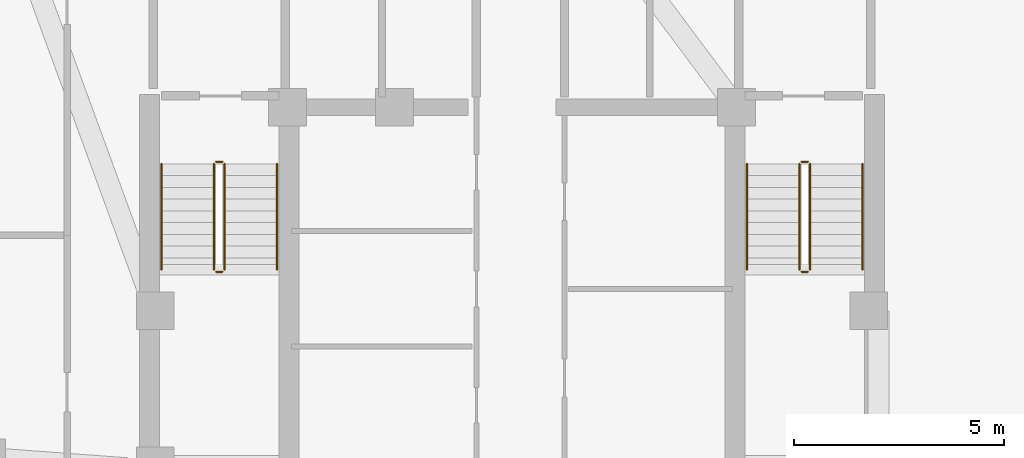
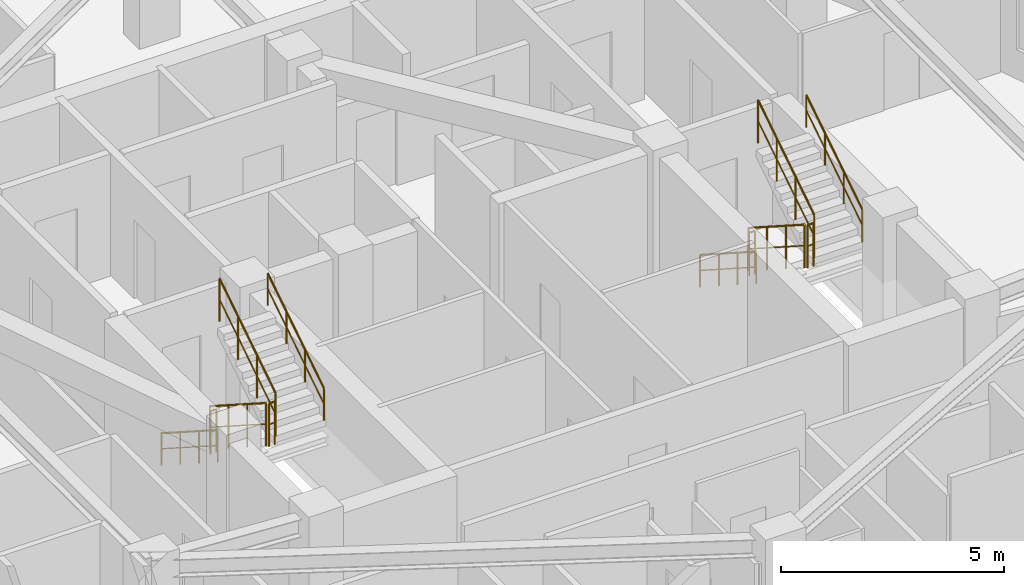
# One storey, part 9 of 9: 12 railings.
"""IFC4 building model written with IfcOpenShell, lengths in metres."""

from ifc_helpers import new_model, si_unit, direction, frame, origin, origin_2d, place, context, subcontext, project, spatial, circle, extrude, material, type_object, element, save


model = new_model("IFC4")

# Units and contexts
model_context = context("Model", 3, precision=1e-05, world=origin(), true_north=direction((0.0, 1.0)))
body_context = subcontext(model_context, "Body", "Model", "MODEL_VIEW")
ifc_project = project(units=[si_unit("LENGTHUNIT", "METRE"), si_unit("AREAUNIT", "SQUARE_METRE"), si_unit("VOLUMEUNIT", "CUBIC_METRE"), si_unit("PLANEANGLEUNIT", "RADIAN"), si_unit("MASSUNIT", "GRAM", prefix="KILO")], contexts=[model_context])

# Site, building, storey
site_placement = place(None, origin())
site = spatial("IfcSite", under=ifc_project, at=site_placement, CompositionType="ELEMENT")
building_placement = place(site_placement, origin())
building = spatial("IfcBuilding", under=site, at=building_placement, Name="Miruveldt Soraemaru", CompositionType="ELEMENT")
storey_placement = place(building_placement, frame((0.0, 0.0, 194.39990234375)))
storey = spatial("IfcBuildingStorey", under=building, at=storey_placement, Name="L53", CompositionType="ELEMENT", Elevation=194.39990234375)

# Railings
ifc_material = material(Name="Steel S355 (355 MPa)", Category="steel")
railing_type_1 = type_object("IfcRailingType", Name="RAIL-HR-900", PredefinedType="HANDRAIL", material=ifc_material)
railing_1_placement = place(storey_placement, frame((35.64990234375, 42.699951171875, 0.18017578125)))
element("IfcRailing", 1, at=railing_1_placement, inside=storey, type_object=railing_type_1, Name="L53 ST-1 stair handrail 1", PredefinedType="HANDRAIL", context=body_context, shape_type="SweptSolid", body=[
    extrude(circle(Radius=0.02392578125, at=origin_2d()), frame((0.0, 0.0, 0.8759765625), z_axis=(0.0, -0.841199657755, 0.540724639528), x_axis=(1.0, 0.0, 0.0)), (0.0, 0.0, 1.0), 2.995849609375),
    extrude(circle(Radius=0.01611328125, at=origin_2d()), frame((0.0, 0.0, 0.449951171875), z_axis=(0.0, -0.841199657755, 0.540724639528), x_axis=(1.0, 0.0, 0.0)), (0.0, 0.0, 1.0), 2.995849609375),
    extrude(circle(Radius=0.02099609375, at=origin_2d()), origin(), (0.0, 0.0, 1.0), 0.851806640625),
    extrude(circle(Radius=0.02099609375, at=origin_2d()), frame((0.0, -0.840087890625, 0.5400390625)), (0.0, 0.0, 1.0), 0.851806640625),
    extrude(circle(Radius=0.02099609375, at=origin_2d()), frame((0.0, -1.679931640625, 1.079833984375)), (0.0, 0.0, 1.0), 0.851806640625),
    extrude(circle(Radius=0.02099609375, at=origin_2d()), frame((0.0, -2.52001953125, 1.619873046875)), (0.0, 0.0, 1.0), 0.851806640625),
])
railing_2_placement = place(storey_placement, frame((38.39990234375, 40.179931640625, 1.97998046875)))
element("IfcRailing", 2, at=railing_2_placement, inside=storey, type_object=railing_type_1, Name="L53 ST-1 stair handrail 2", PredefinedType="HANDRAIL", context=body_context, shape_type="SweptSolid", body=[
    extrude(circle(Radius=0.02392578125, at=origin_2d()), frame((0.0, 0.0, 0.8759765625), z_axis=(0.0, 0.841162588446, 0.540782303519), x_axis=(-1.0, 0.0, 0.0)), (0.0, 0.0, 1.0), 2.995849609375),
    extrude(circle(Radius=0.01611328125, at=origin_2d()), frame((0.0, 0.0, 0.449951171875), z_axis=(0.0, 0.841162588446, 0.540782303519), x_axis=(-1.0, 0.0, 0.0)), (0.0, 0.0, 1.0), 2.995849609375),
    extrude(circle(Radius=0.02099609375, at=origin_2d()), origin(), (0.0, 0.0, 1.0), 0.851806640625),
    extrude(circle(Radius=0.02099609375, at=origin_2d()), frame((0.0, 0.840087890625, 0.5400390625)), (0.0, 0.0, 1.0), 0.851806640625),
    extrude(circle(Radius=0.02099609375, at=origin_2d()), frame((0.0, 1.679931640625, 1.080078125)), (0.0, 0.0, 1.0), 0.851806640625),
    extrude(circle(Radius=0.02099609375, at=origin_2d()), frame((0.0, 2.52001953125, 1.6201171875)), (0.0, 0.0, 1.0), 0.851806640625),
])
railing_3_placement = place(storey_placement, frame((49.60009765625, 42.699951171875, 0.18017578125)))
element("IfcRailing", 3, at=railing_3_placement, inside=storey, type_object=railing_type_1, Name="L53 ST-2 stair handrail 1", PredefinedType="HANDRAIL", context=body_context, shape_type="SweptSolid", body=[
    extrude(circle(Radius=0.02392578125, at=origin_2d()), frame((0.0, 0.0, 0.8759765625), z_axis=(0.0, -0.841199657755, 0.540724639528), x_axis=(1.0, 0.0, 0.0)), (0.0, 0.0, 1.0), 2.995849609375),
    extrude(circle(Radius=0.01611328125, at=origin_2d()), frame((0.0, 0.0, 0.449951171875), z_axis=(0.0, -0.841199657755, 0.540724639528), x_axis=(1.0, 0.0, 0.0)), (0.0, 0.0, 1.0), 2.995849609375),
    extrude(circle(Radius=0.02099609375, at=origin_2d()), origin(), (0.0, 0.0, 1.0), 0.851806640625),
    extrude(circle(Radius=0.02099609375, at=origin_2d()), frame((0.0, -0.840087890625, 0.5400390625)), (0.0, 0.0, 1.0), 0.851806640625),
    extrude(circle(Radius=0.02099609375, at=origin_2d()), frame((0.0, -1.679931640625, 1.079833984375)), (0.0, 0.0, 1.0), 0.851806640625),
    extrude(circle(Radius=0.02099609375, at=origin_2d()), frame((0.0, -2.52001953125, 1.619873046875)), (0.0, 0.0, 1.0), 0.851806640625),
])
railing_4_placement = place(storey_placement, frame((52.35009765625, 40.179931640625, 1.97998046875)))
element("IfcRailing", 4, at=railing_4_placement, inside=storey, type_object=railing_type_1, Name="L53 ST-2 stair handrail 2", PredefinedType="HANDRAIL", context=body_context, shape_type="SweptSolid", body=[
    extrude(circle(Radius=0.02392578125, at=origin_2d()), frame((0.0, 0.0, 0.8759765625), z_axis=(0.0, 0.841162588446, 0.540782303519), x_axis=(-1.0, 0.0, 0.0)), (0.0, 0.0, 1.0), 2.995849609375),
    extrude(circle(Radius=0.01611328125, at=origin_2d()), frame((0.0, 0.0, 0.449951171875), z_axis=(0.0, 0.841162588446, 0.540782303519), x_axis=(-1.0, 0.0, 0.0)), (0.0, 0.0, 1.0), 2.995849609375),
    extrude(circle(Radius=0.02099609375, at=origin_2d()), origin(), (0.0, 0.0, 1.0), 0.851806640625),
    extrude(circle(Radius=0.02099609375, at=origin_2d()), frame((0.0, 0.840087890625, 0.5400390625)), (0.0, 0.0, 1.0), 0.851806640625),
    extrude(circle(Radius=0.02099609375, at=origin_2d()), frame((0.0, 1.679931640625, 1.080078125)), (0.0, 0.0, 1.0), 0.851806640625),
    extrude(circle(Radius=0.02099609375, at=origin_2d()), frame((0.0, 2.52001953125, 1.6201171875)), (0.0, 0.0, 1.0), 0.851806640625),
])
railing_type_2 = type_object("IfcRailingType", Name="RAIL-STGUARD-1200", PredefinedType="GUARDRAIL", material=ifc_material)
railing_5_placement = place(storey_placement, frame((36.89990234375, 42.699951171875, 0.18017578125)))
element("IfcRailing", 5, at=railing_5_placement, inside=storey, type_object=railing_type_2, Name="L53 ST-1 stair guard 1", PredefinedType="GUARDRAIL", context=body_context, shape_type="SweptSolid", body=[
    extrude(circle(Radius=0.02392578125, at=origin_2d()), frame((0.0, 0.0, 1.17578125), z_axis=(0.0, -0.841199657755, 0.540724639528), x_axis=(1.0, 0.0, 0.0)), (0.0, 0.0, 1.0), 2.995849609375),
    extrude(circle(Radius=0.01611328125, at=origin_2d()), frame((0.0, 0.0, 0.60009765625), z_axis=(0.0, -0.841199657755, 0.540724639528), x_axis=(1.0, 0.0, 0.0)), (0.0, 0.0, 1.0), 2.995849609375),
    extrude(circle(Radius=0.02099609375, at=origin_2d()), origin(), (0.0, 0.0, 1.0), 1.15185546875),
    extrude(circle(Radius=0.02099609375, at=origin_2d()), frame((0.0, -0.840087890625, 0.5400390625)), (0.0, 0.0, 1.0), 1.15185546875),
    extrude(circle(Radius=0.02099609375, at=origin_2d()), frame((0.0, -1.679931640625, 1.079833984375)), (0.0, 0.0, 1.0), 1.15185546875),
    extrude(circle(Radius=0.02099609375, at=origin_2d()), frame((0.0, -2.52001953125, 1.619873046875)), (0.0, 0.0, 1.0), 1.15185546875),
])
railing_6_placement = place(storey_placement, frame((36.949951171875, 40.1298828125, 1.800048828125)))
element("IfcRailing", 6, at=railing_6_placement, inside=storey, type_object=railing_type_2, Name="L53 ST-1 stair guard 2", PredefinedType="GUARDRAIL", context=body_context, shape_type="SweptSolid", body=[
    extrude(circle(Radius=0.02392578125, at=origin_2d()), frame((0.0, 0.0, 1.17578125), z_axis=(1.0, 0.0, 0.0), x_axis=(0.0, 1.0, 0.0)), (0.0, 0.0, 1.0), 0.150146484375),
    extrude(circle(Radius=0.01611328125, at=origin_2d()), frame((0.0, 0.0, 0.60009765625), z_axis=(1.0, 0.0, 0.0), x_axis=(0.0, 1.0, 0.0)), (0.0, 0.0, 1.0), 0.150146484375),
    extrude(circle(Radius=0.02099609375, at=origin_2d()), origin(), (0.0, 0.0, 1.0), 1.15185546875),
    extrude(circle(Radius=0.02099609375, at=origin_2d()), frame((0.150146484375, 0.0, 0.0)), (0.0, 0.0, 1.0), 1.15185546875),
])
railing_7_placement = place(storey_placement, frame((37.14990234375, 40.179931640625, 1.97998046875)))
element("IfcRailing", 7, at=railing_7_placement, inside=storey, type_object=railing_type_2, Name="L53 ST-1 stair guard 3", PredefinedType="GUARDRAIL", context=body_context, shape_type="SweptSolid", body=[
    extrude(circle(Radius=0.02392578125, at=origin_2d()), frame((0.0, 0.0, 1.17578125), z_axis=(0.0, 0.841162588446, 0.540782303519), x_axis=(-1.0, 0.0, 0.0)), (0.0, 0.0, 1.0), 2.995849609375),
    extrude(circle(Radius=0.01611328125, at=origin_2d()), frame((0.0, 0.0, 0.60009765625), z_axis=(0.0, 0.841162588446, 0.540782303519), x_axis=(-1.0, 0.0, 0.0)), (0.0, 0.0, 1.0), 2.995849609375),
    extrude(circle(Radius=0.02099609375, at=origin_2d()), origin(), (0.0, 0.0, 1.0), 1.15185546875),
    extrude(circle(Radius=0.02099609375, at=origin_2d()), frame((0.0, 0.840087890625, 0.5400390625)), (0.0, 0.0, 1.0), 1.15185546875),
    extrude(circle(Radius=0.02099609375, at=origin_2d()), frame((0.0, 1.679931640625, 1.080078125)), (0.0, 0.0, 1.0), 1.15185546875),
    extrude(circle(Radius=0.02099609375, at=origin_2d()), frame((0.0, 2.52001953125, 1.6201171875)), (0.0, 0.0, 1.0), 1.15185546875),
])
railing_8_placement = place(storey_placement, frame((36.949951171875, 42.75, 0.0)))
element("IfcRailing", 8, at=railing_8_placement, inside=storey, type_object=railing_type_2, Name="L53 ST-1 stair guard 4", PredefinedType="GUARDRAIL", context=body_context, shape_type="SweptSolid", body=[
    extrude(circle(Radius=0.02392578125, at=origin_2d()), frame((0.0, 0.0, 1.17578125), z_axis=(1.0, 0.0, 0.0), x_axis=(0.0, 1.0, 0.0)), (0.0, 0.0, 1.0), 0.150146484375),
    extrude(circle(Radius=0.01611328125, at=origin_2d()), frame((0.0, 0.0, 0.60009765625), z_axis=(1.0, 0.0, 0.0), x_axis=(0.0, 1.0, 0.0)), (0.0, 0.0, 1.0), 0.150146484375),
    extrude(circle(Radius=0.02099609375, at=origin_2d()), origin(), (0.0, 0.0, 1.0), 1.15185546875),
    extrude(circle(Radius=0.02099609375, at=origin_2d()), frame((0.150146484375, 0.0, 0.0)), (0.0, 0.0, 1.0), 1.15185546875),
])
railing_9_placement = place(storey_placement, frame((50.85009765625, 42.699951171875, 0.18017578125)))
element("IfcRailing", 9, at=railing_9_placement, inside=storey, type_object=railing_type_2, Name="L53 ST-2 stair guard 1", PredefinedType="GUARDRAIL", context=body_context, shape_type="SweptSolid", body=[
    extrude(circle(Radius=0.02392578125, at=origin_2d()), frame((0.0, 0.0, 1.17578125), z_axis=(0.0, -0.841199657755, 0.540724639528), x_axis=(1.0, 0.0, 0.0)), (0.0, 0.0, 1.0), 2.995849609375),
    extrude(circle(Radius=0.01611328125, at=origin_2d()), frame((0.0, 0.0, 0.60009765625), z_axis=(0.0, -0.841199657755, 0.540724639528), x_axis=(1.0, 0.0, 0.0)), (0.0, 0.0, 1.0), 2.995849609375),
    extrude(circle(Radius=0.02099609375, at=origin_2d()), origin(), (0.0, 0.0, 1.0), 1.15185546875),
    extrude(circle(Radius=0.02099609375, at=origin_2d()), frame((0.0, -0.840087890625, 0.5400390625)), (0.0, 0.0, 1.0), 1.15185546875),
    extrude(circle(Radius=0.02099609375, at=origin_2d()), frame((0.0, -1.679931640625, 1.079833984375)), (0.0, 0.0, 1.0), 1.15185546875),
    extrude(circle(Radius=0.02099609375, at=origin_2d()), frame((0.0, -2.52001953125, 1.619873046875)), (0.0, 0.0, 1.0), 1.15185546875),
])
railing_10_placement = place(storey_placement, frame((50.89990234375, 40.1298828125, 1.800048828125)))
element("IfcRailing", 10, at=railing_10_placement, inside=storey, type_object=railing_type_2, Name="L53 ST-2 stair guard 2", PredefinedType="GUARDRAIL", context=body_context, shape_type="SweptSolid", body=[
    extrude(circle(Radius=0.02392578125, at=origin_2d()), frame((0.0, 0.0, 1.17578125), z_axis=(1.0, 0.0, 0.0), x_axis=(0.0, 1.0, 0.0)), (0.0, 0.0, 1.0), 0.150146484375),
    extrude(circle(Radius=0.01611328125, at=origin_2d()), frame((0.0, 0.0, 0.60009765625), z_axis=(1.0, 0.0, 0.0), x_axis=(0.0, 1.0, 0.0)), (0.0, 0.0, 1.0), 0.150146484375),
    extrude(circle(Radius=0.02099609375, at=origin_2d()), origin(), (0.0, 0.0, 1.0), 1.15185546875),
    extrude(circle(Radius=0.02099609375, at=origin_2d()), frame((0.150146484375, 0.0, 0.0)), (0.0, 0.0, 1.0), 1.15185546875),
])
railing_11_placement = place(storey_placement, frame((51.10009765625, 40.179931640625, 1.97998046875)))
element("IfcRailing", 11, at=railing_11_placement, inside=storey, type_object=railing_type_2, Name="L53 ST-2 stair guard 3", PredefinedType="GUARDRAIL", context=body_context, shape_type="SweptSolid", body=[
    extrude(circle(Radius=0.02392578125, at=origin_2d()), frame((0.0, 0.0, 1.17578125), z_axis=(0.0, 0.841162588446, 0.540782303519), x_axis=(-1.0, 0.0, 0.0)), (0.0, 0.0, 1.0), 2.995849609375),
    extrude(circle(Radius=0.01611328125, at=origin_2d()), frame((0.0, 0.0, 0.60009765625), z_axis=(0.0, 0.841162588446, 0.540782303519), x_axis=(-1.0, 0.0, 0.0)), (0.0, 0.0, 1.0), 2.995849609375),
    extrude(circle(Radius=0.02099609375, at=origin_2d()), origin(), (0.0, 0.0, 1.0), 1.15185546875),
    extrude(circle(Radius=0.02099609375, at=origin_2d()), frame((0.0, 0.840087890625, 0.5400390625)), (0.0, 0.0, 1.0), 1.15185546875),
    extrude(circle(Radius=0.02099609375, at=origin_2d()), frame((0.0, 1.679931640625, 1.080078125)), (0.0, 0.0, 1.0), 1.15185546875),
    extrude(circle(Radius=0.02099609375, at=origin_2d()), frame((0.0, 2.52001953125, 1.6201171875)), (0.0, 0.0, 1.0), 1.15185546875),
])
railing_12_placement = place(storey_placement, frame((50.89990234375, 42.75, 0.0)))
element("IfcRailing", 12, at=railing_12_placement, inside=storey, type_object=railing_type_2, Name="L53 ST-2 stair guard 4", PredefinedType="GUARDRAIL", context=body_context, shape_type="SweptSolid", body=[
    extrude(circle(Radius=0.02392578125, at=origin_2d()), frame((0.0, 0.0, 1.17578125), z_axis=(1.0, 0.0, 0.0), x_axis=(0.0, 1.0, 0.0)), (0.0, 0.0, 1.0), 0.150146484375),
    extrude(circle(Radius=0.01611328125, at=origin_2d()), frame((0.0, 0.0, 0.60009765625), z_axis=(1.0, 0.0, 0.0), x_axis=(0.0, 1.0, 0.0)), (0.0, 0.0, 1.0), 0.150146484375),
    extrude(circle(Radius=0.02099609375, at=origin_2d()), origin(), (0.0, 0.0, 1.0), 1.15185546875),
    extrude(circle(Radius=0.02099609375, at=origin_2d()), frame((0.150146484375, 0.0, 0.0)), (0.0, 0.0, 1.0), 1.15185546875),
])

save(model, "model.ifc")
